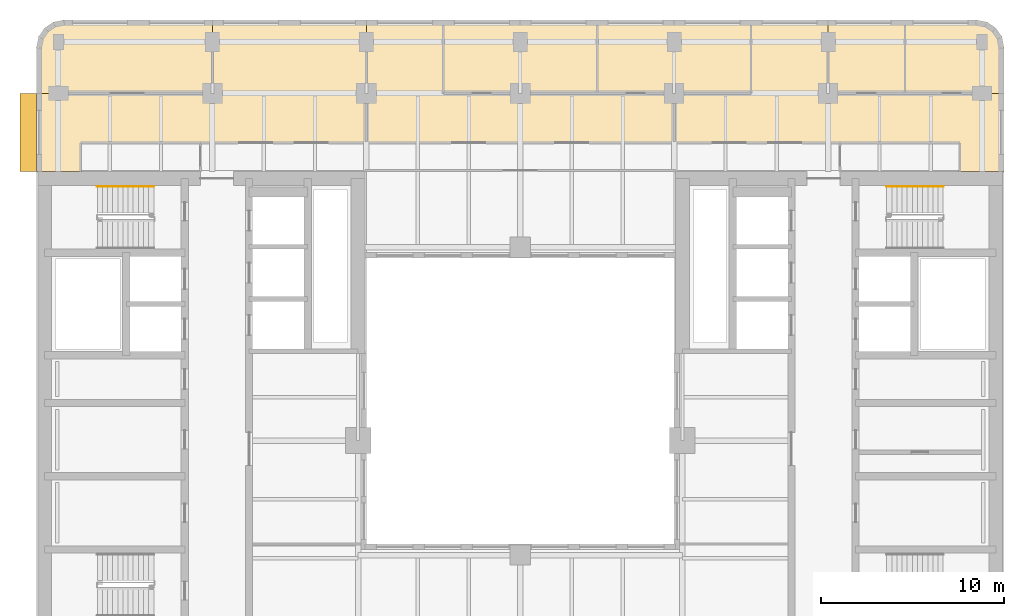
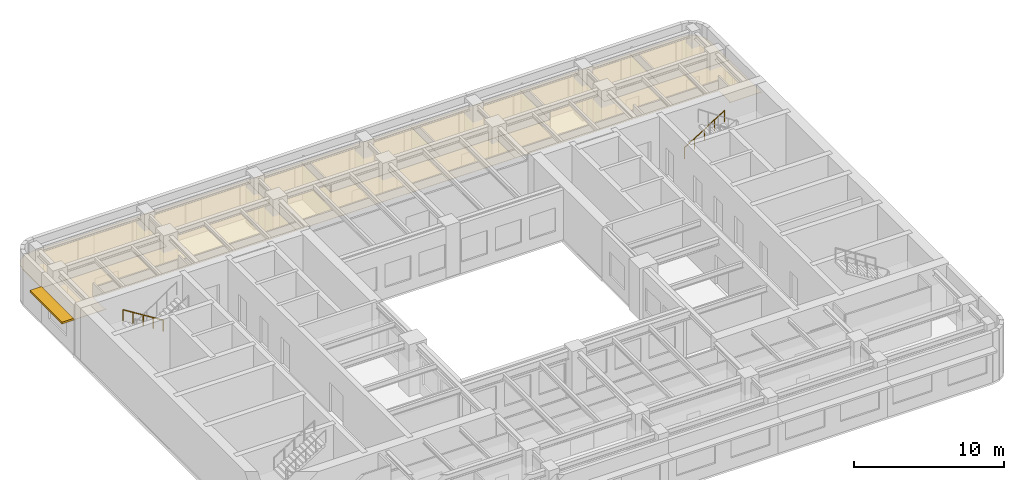
# One storey, part 11 of 11: 8 coverings, 2 railings, 1 shading device.
"""IFC4 building model written with IfcOpenShell, lengths in metres."""

import ifcopenshell
import ifcopenshell.guid

model = None  # the IFC model being written
_history = None  # IfcOwnerHistory: only IFC2X3 demands one
_inside = {}  # id of a spatial element -> (the spatial element, [elements in it])
_under = {}  # id of a project, library or spatial element -> (it, [spatial elements below it])
_declared = {}  # id of a project -> (the project, [libraries it declares])
_typed = {}  # id of a type object -> (the type object, [elements of that type])
_made_of = {}  # id of a material, layer set ... -> (it, [elements and type objects made of it])


def new_model(schema):
    """Start an empty IFC model of exactly this schema.

    Asked for "IFC4X3", IfcOpenShell would pick the latest addendum, in which some entities
    have other attributes; the version numbers below select the first issue.
    IFC2X3 requires an IfcOwnerHistory on every rooted entity: one is made here for all.
    """
    global model, _history
    if schema == "IFC4X3":
        model = ifcopenshell.file(schema_version=(4, 3, 0, 0))
    else:
        model = ifcopenshell.file(schema=schema)
    _inside.clear()
    _under.clear()
    _declared.clear()
    _typed.clear()
    _made_of.clear()
    _history = None
    if model.schema == "IFC2X3":
        org = make("IfcOrganization", Name="unknown")
        user = make(
            "IfcPersonAndOrganization",
            ThePerson=make("IfcPerson", FamilyName="unknown"),
            TheOrganization=org,
        )
        app = make(
            "IfcApplication",
            ApplicationDeveloper=org,
            Version="unknown",
            ApplicationFullName="unknown",
            ApplicationIdentifier="unknown",
        )
        _history = make(
            "IfcOwnerHistory",
            OwningUser=user,
            OwningApplication=app,
            ChangeAction="ADDED",
            CreationDate=0,
        )
    return model


def make(cls, **values):
    """One entity of the class cls with the attributes given. An attribute that is None is left unset."""
    return model.create_entity(
        cls, **{name: value for name, value in values.items() if value is not None}
    )


def rooted(cls, **values):
    """An entity with a GlobalId (a new one), such as an element, a storey or a relation."""
    return make(cls, GlobalId=ifcopenshell.guid.new(), OwnerHistory=_history, **values)


def si_unit(unit_type, name, prefix=None):
    """IfcSIUnit, for example si_unit("LENGTHUNIT", "METRE", prefix="MILLI")."""
    return make("IfcSIUnit", UnitType=unit_type, Prefix=prefix, Name=name)


def assignment(units):
    """IfcUnitAssignment: the units of a project."""
    return None if units is None else make("IfcUnitAssignment", Units=units)


def point(xyz):
    """IfcCartesianPoint."""
    return None if xyz is None else make("IfcCartesianPoint", Coordinates=xyz)


def direction(xyz):
    """IfcDirection."""
    return None if xyz is None else make("IfcDirection", DirectionRatios=xyz)


def frame(location, z_axis=None, x_axis=None):
    """IfcAxis2Placement3D, a coordinate frame: its origin and axes. An axis left out is left unset."""
    return make(
        "IfcAxis2Placement3D",
        Location=point(location),
        Axis=direction(z_axis),
        RefDirection=direction(x_axis),
    )


def frame_2d(location, x_axis=None):
    """IfcAxis2Placement2D, a coordinate frame in the plane: its origin and x axis."""
    return make(
        "IfcAxis2Placement2D", Location=point(location), RefDirection=direction(x_axis)
    )


def origin():
    """The frame at (0, 0, 0) with its axes left unset."""
    return frame((0.0, 0.0, 0.0))


def origin_2d():
    """The frame at (0, 0) in the plane with its x axis left unset."""
    return frame_2d((0.0, 0.0))


def place(relative_to, where):
    """IfcLocalPlacement: puts the frame where relative to a parent placement (None: the world)."""
    return make(
        "IfcLocalPlacement", PlacementRelTo=relative_to, RelativePlacement=where
    )


def context(
    kind, dimensions, precision=None, world=None, true_north=None, identifier=None
):
    """IfcGeometricRepresentationContext, for example the 3D "Model" context."""
    return make(
        "IfcGeometricRepresentationContext",
        ContextIdentifier=identifier,
        ContextType=kind,
        CoordinateSpaceDimension=dimensions,
        Precision=precision,
        WorldCoordinateSystem=world,
        TrueNorth=true_north,
    )


def subcontext(parent, identifier, kind, view, scale=None):
    """IfcGeometricRepresentationSubContext, for example "Body" below "Model"."""
    return make(
        "IfcGeometricRepresentationSubContext",
        ContextIdentifier=identifier,
        ContextType=kind,
        ParentContext=parent,
        TargetScale=scale,
        TargetView=view,
    )


def project(units=None, contexts=None):
    """IfcProject with its units and contexts."""
    return rooted(
        "IfcProject",
        Name="project",
        RepresentationContexts=contexts,
        UnitsInContext=assignment(units),
    )


def spatial(cls, under=None, at=None, **own):
    """A site, building, storey or space (cls), placed at a placement, below another one or the project."""
    s = rooted(cls, ObjectPlacement=at, **own)
    if under is not None:
        _under.setdefault(under.id(), (under, []))[1].append(s)
    return s


def polyline(points):
    """IfcPolyline through the points."""
    return make("IfcPolyline", Points=[point(p) for p in points])


def profile(cls, at=None, kind="AREA", **sizes):
    """A parametric profile (cls). Its sizes go by their IFC names, for example OverallWidth=200.0."""
    return make(cls, ProfileType=kind, Position=at, **sizes)


def rectangle(**sizes):
    """IfcRectangleProfileDef."""
    return profile("IfcRectangleProfileDef", **sizes)


def circle(**sizes):
    """IfcCircleProfileDef."""
    return profile("IfcCircleProfileDef", **sizes)


def outline(outer, holes=None, kind="AREA"):
    """IfcArbitraryClosedProfileDef: a profile drawn as a closed curve; with holes, ...WithVoids."""
    if holes is None:
        return make("IfcArbitraryClosedProfileDef", ProfileType=kind, OuterCurve=outer)
    return make(
        "IfcArbitraryProfileDefWithVoids",
        ProfileType=kind,
        OuterCurve=outer,
        InnerCurves=holes,
    )


def extrude(swept, where, along, depth):
    """IfcExtrudedAreaSolid: the profile swept, set in the frame where, extruded along a direction by depth."""
    return make(
        "IfcExtrudedAreaSolid",
        SweptArea=swept,
        Position=where,
        ExtrudedDirection=direction(along),
        Depth=depth,
    )


def shape(context_of_items, identifier, shape_type, items):
    """IfcShapeRepresentation: the items that make up one representation, for example the "Body"."""
    return make(
        "IfcShapeRepresentation",
        ContextOfItems=context_of_items,
        RepresentationIdentifier=identifier,
        RepresentationType=shape_type,
        Items=items,
    )


def material(Name=None, Category=None):
    """IfcMaterial."""
    return make("IfcMaterial", Name=Name, Category=Category)


def layer(
    of_material, thickness, ventilated=None, Name=None, Category=None, Priority=None
):
    """IfcMaterialLayer: one layer of a wall or slab, of a material (None: an air gap)."""
    return make(
        "IfcMaterialLayer",
        Material=of_material,
        LayerThickness=thickness,
        IsVentilated=ventilated,
        Name=Name,
        Category=Category,
        Priority=Priority,
    )


def layer_set(layers, Name=None):
    """IfcMaterialLayerSet."""
    return make("IfcMaterialLayerSet", MaterialLayers=layers, LayerSetName=Name)


def made_of(thing, what):
    """Note that an element or type object is made of a material, layer set ...; save() writes the relation."""
    if what is not None:
        _made_of.setdefault(what.id(), (what, []))[1].append(thing)
    return thing


def type_object(cls, material=None, **own):
    """A type object (cls), such as IfcWallType, which elements share."""
    return made_of(rooted(cls, **own), material)


def element(
    cls,
    number,
    at=None,
    inside=None,
    cuts=None,
    type_object=None,
    material=None,
    context=None,
    identifier="Body",
    shape_type=None,
    held_by="IfcProductDefinitionShape",
    body=None,
    shapes=None,
    **own,
):
    """One element of the class cls, such as IfcWall. Its Tag is "e" and its number.

    at: its placement. inside: the storey or other place that contains it. cuts: it is an
    opening in that element (IfcRelVoidsElement). A single representation is given by context,
    identifier, shape_type and body (its items); several are given by shapes. held_by: the class
    of the entity that holds the representations. save() writes the other relations.
    """
    e = rooted(cls, Tag="e%d" % number, ObjectPlacement=at, **own)
    if body is not None:
        shapes = [shape(context, identifier, shape_type, body)]
    if shapes is not None:
        e.Representation = make(held_by, Representations=shapes)
    if inside is not None:
        _inside.setdefault(inside.id(), (inside, []))[1].append(e)
    if cuts is not None:
        rooted(
            "IfcRelVoidsElement", RelatingBuildingElement=cuts, RelatedOpeningElement=e
        )
    if type_object is not None:
        _typed.setdefault(type_object.id(), (type_object, []))[1].append(e)
    return made_of(e, material)


def aggregate(whole, parts):
    """IfcRelAggregates: a whole, such as a stair, and the parts it consists of."""
    return rooted("IfcRelAggregates", RelatingObject=whole, RelatedObjects=parts)


def save(model, path):
    """Write the relations noted so far, then the file.

    IfcRelAggregates (storeys below a building ...), IfcRelContainedInSpatialStructure (elements
    in a storey), IfcRelDefinesByType, IfcRelAssociatesMaterial and IfcRelDeclares: one each for
    every whole, place, type object, material and project.
    """
    for whole, parts in _under.values():
        aggregate(whole, parts)
    for where, things in _inside.values():
        rooted(
            "IfcRelContainedInSpatialStructure",
            RelatedElements=things,
            RelatingStructure=where,
        )
    for kind, things in _typed.values():
        rooted("IfcRelDefinesByType", RelatedObjects=things, RelatingType=kind)
    for what, things in _made_of.values():
        rooted("IfcRelAssociatesMaterial", RelatedObjects=things, RelatingMaterial=what)
    for by, libraries in _declared.values():
        rooted("IfcRelDeclares", RelatingContext=by, RelatedDefinitions=libraries)
    model.write(path)


model = new_model("IFC4")

# Units and contexts
model_context = context("Model", 3, precision=1e-05, world=origin(), true_north=direction((0.0, 1.0)))
body_context = subcontext(model_context, "Body", "Model", "MODEL_VIEW")
ifc_project = project(units=[si_unit("LENGTHUNIT", "METRE"), si_unit("AREAUNIT", "SQUARE_METRE"), si_unit("VOLUMEUNIT", "CUBIC_METRE"), si_unit("PLANEANGLEUNIT", "RADIAN"), si_unit("MASSUNIT", "GRAM", prefix="KILO")], contexts=[model_context])

# Site, building, storey
site_placement = place(None, origin())
site = spatial("IfcSite", under=ifc_project, at=site_placement, CompositionType="ELEMENT")
building_placement = place(site_placement, origin())
building = spatial("IfcBuilding", under=site, at=building_placement, Name="Claustro Exchange Tower", CompositionType="ELEMENT")
storey_placement = place(building_placement, frame((0.0, 0.0, 202.800048828125)))
storey = spatial("IfcBuildingStorey", under=building, at=storey_placement, Name="L46", CompositionType="ELEMENT", Elevation=202.800048828125)

# Coverings
ifc_material_1 = material(Name="Perforated metal ceiling tiles", Category="steel")
ifc_layer_1 = layer(ifc_material_1, 0.030029296875)
ifc_layer_set_1 = layer_set([ifc_layer_1], Name="Perforated metal ceiling tiles")
covering_type_1 = type_object("IfcCoveringType", Name="CL1 suspended metal ceiling", PredefinedType="CEILING", material=ifc_layer_set_1)
covering_1_placement = place(storey_placement, frame((0.0, 0.0, 2.800048828125)))
element("IfcCovering", 1, at=covering_1_placement, inside=storey, type_object=covering_type_1, Name="Ceiling CL1 L46-22", PredefinedType="CEILING", context=body_context, shape_type="SweptSolid", body=[
    extrude(outline(polyline([(-1.125, 37.72509765625), (1.294921875, 37.72509765625), (1.294921875, 37.800048828125), (1.199951171875, 37.800048828125), (1.199951171875, 39.300048828125), (16.800048828125, 39.300048828125), (16.800048828125, 46.0), (8.39990234375, 46.0), (8.39990234375, 42.0), (-1.199951171875, 42.0), (-1.199951171875, 37.705078125), (-1.125, 37.705078125), (-1.125, 37.72509765625)])), origin(), (0.0, 0.0, 1.0), 0.02978515625),
])
ifc_material_2 = material(Name="Gypsum board ceiling", Category="gypsum board")
ifc_layer_2 = layer(ifc_material_2, 0.02490234375)
ifc_layer_set_2 = layer_set([ifc_layer_2], Name="Gypsum board ceiling")
covering_type_2 = type_object("IfcCoveringType", Name="CL2 plasterboard ceiling", PredefinedType="CEILING", material=ifc_layer_set_2)
covering_2_placement = place(storey_placement, frame((0.0, 0.0, 2.800048828125)))
element("IfcCovering", 2, at=covering_2_placement, inside=storey, type_object=covering_type_2, Name="Ceiling CL2 L46-20", PredefinedType="CEILING", context=body_context, shape_type="SweptSolid", body=[
    extrude(outline(polyline([(51.52490234375, 37.72509765625), (51.52490234375, 37.705078125), (51.60009765625, 37.705078125), (51.60009765625, 42.0), (42.0, 42.0), (42.0, 46.0), (37.800048828125, 46.0), (37.800048828125, 42.0), (33.60009765625, 42.0), (33.60009765625, 39.300048828125), (49.199951171875, 39.300048828125), (49.199951171875, 37.800048828125), (49.10498046875, 37.800048828125), (49.10498046875, 37.72509765625), (51.52490234375, 37.72509765625)])), origin(), (0.0, 0.0, 1.0), 0.02490234375),
])
covering_3_placement = place(storey_placement, frame((0.0, 0.0, 2.800048828125)))
element("IfcCovering", 3, at=covering_3_placement, inside=storey, type_object=covering_type_2, Name="Ceiling CL2 L46-21", PredefinedType="CEILING", context=body_context, shape_type="SweptSolid", body=[
    extrude(outline(polyline([(21.0, 46.0), (16.800048828125, 46.0), (16.800048828125, 39.300048828125), (33.60009765625, 39.300048828125), (33.60009765625, 42.0), (29.39990234375, 42.0), (21.0, 42.0), (21.0, 46.0)])), origin(), (0.0, 0.0, 1.0), 0.02490234375),
])
covering_4_placement = place(storey_placement, frame((0.0, 0.0, 2.800048828125)))
element("IfcCovering", 4, at=covering_4_placement, inside=storey, type_object=covering_type_2, Name="Ceiling CL2 L46-23", PredefinedType="CEILING", context=body_context, shape_type="SweptSolid", body=[
    extrude(outline(polyline([(-1.199951171875, 44.5), (-1.199951171875, 42.0), (8.39990234375, 42.0), (8.39990234375, 46.0), (0.300048828125, 46.0), (-0.27392578125, 45.8857421875), (-0.7607421875, 45.560791015625), (-1.085693359375, 45.073974609375), (-1.199951171875, 44.5)])), origin(), (0.0, 0.0, 1.0), 0.02490234375),
])
covering_5_placement = place(storey_placement, frame((0.0, 0.0, 2.800048828125)))
element("IfcCovering", 5, at=covering_5_placement, inside=storey, type_object=covering_type_2, Name="Ceiling CL2 L46-24", PredefinedType="CEILING", context=body_context, shape_type="SweptSolid", body=[
    extrude(outline(polyline([(29.39990234375, 46.0), (21.0, 46.0), (21.0, 42.0), (29.39990234375, 42.0), (29.39990234375, 46.0)])), origin(), (0.0, 0.0, 1.0), 0.02490234375),
])
covering_6_placement = place(storey_placement, frame((0.0, 0.0, 2.800048828125)))
element("IfcCovering", 6, at=covering_6_placement, inside=storey, type_object=covering_type_2, Name="Ceiling CL2 L46-25", PredefinedType="CEILING", context=body_context, shape_type="SweptSolid", body=[
    extrude(outline(polyline([(37.800048828125, 46.0), (29.39990234375, 46.0), (29.39990234375, 42.0), (37.800048828125, 42.0), (37.800048828125, 46.0)])), origin(), (0.0, 0.0, 1.0), 0.02490234375),
])
covering_7_placement = place(storey_placement, frame((0.0, 0.0, 2.800048828125)))
element("IfcCovering", 7, at=covering_7_placement, inside=storey, type_object=covering_type_2, Name="Ceiling CL2 L46-26", PredefinedType="CEILING", context=body_context, shape_type="SweptSolid", body=[
    extrude(outline(polyline([(46.199951171875, 46.0), (42.0, 46.0), (42.0, 42.0), (46.199951171875, 42.0), (46.199951171875, 46.0)])), origin(), (0.0, 0.0, 1.0), 0.02490234375),
])
covering_8_placement = place(storey_placement, frame((0.0, 0.0, 2.800048828125)))
element("IfcCovering", 8, at=covering_8_placement, inside=storey, type_object=covering_type_2, Name="Ceiling CL2 L46-27", PredefinedType="CEILING", context=body_context, shape_type="SweptSolid", body=[
    extrude(outline(polyline([(50.10009765625, 46.0), (46.199951171875, 46.0), (46.199951171875, 42.0), (51.60009765625, 42.0), (51.60009765625, 44.5), (51.48583984375, 45.073974609375), (51.16064453125, 45.560791015625), (50.674072265625, 45.8857421875), (50.10009765625, 46.0)])), origin(), (0.0, 0.0, 1.0), 0.02490234375),
])

# Railings
ifc_material_3 = material(Name="Stainless steel tube", Category="steel")
railing_type = type_object("IfcRailingType", Name="HR1 900 stair handrail", PredefinedType="HANDRAIL", material=ifc_material_3)
railing_1_placement = place(storey_placement, frame((5.199951171875, 36.9150390625, 0.175048828125)))
element("IfcRailing", 9, at=railing_1_placement, inside=storey, type_object=railing_type, Name="Handrail HR1 stair STWB L46", PredefinedType="HANDRAIL", context=body_context, shape_type="SweptSolid", body=[
    extrude(circle(Radius=0.02392578125, at=origin_2d()), frame((0.0, 0.0, 0.8759765625), z_axis=(-0.848009633417, 0.0, 0.529980812513), x_axis=(0.0, -1.0, 0.0)), (0.0, 0.0, 1.0), 3.6318359375),
    extrude(circle(Radius=0.02099609375, at=origin_2d()), origin(), (0.0, 0.0, 1.0), 0.851806640625),
    extrude(circle(Radius=0.02099609375, at=origin_2d()), frame((-0.77001953125, 0.0, 0.481201171875)), (0.0, 0.0, 1.0), 0.851806640625),
    extrude(circle(Radius=0.02099609375, at=origin_2d()), frame((-1.5400390625, 0.0, 0.96240234375)), (0.0, 0.0, 1.0), 0.851806640625),
    extrude(circle(Radius=0.02099609375, at=origin_2d()), frame((-2.309814453125, 0.0, 1.443603515625)), (0.0, 0.0, 1.0), 0.851806640625),
    extrude(circle(Radius=0.02099609375, at=origin_2d()), frame((-3.079833984375, 0.0, 1.9248046875)), (0.0, 0.0, 1.0), 0.851806640625),
])
railing_2_placement = place(storey_placement, frame((45.199951171875, 36.9150390625, 0.175048828125)))
element("IfcRailing", 10, at=railing_2_placement, inside=storey, type_object=railing_type, Name="Handrail HR1 stair STEB L46", PredefinedType="HANDRAIL", context=body_context, shape_type="SweptSolid", body=[
    extrude(circle(Radius=0.02392578125, at=origin_2d()), frame((0.0, 0.0, 0.8759765625), z_axis=(0.848028513186, 0.0, 0.529950602248), x_axis=(0.0, 1.0, 0.0)), (0.0, 0.0, 1.0), 3.632080078125),
    extrude(circle(Radius=0.02099609375, at=origin_2d()), origin(), (0.0, 0.0, 1.0), 0.851806640625),
    extrude(circle(Radius=0.02099609375, at=origin_2d()), frame((0.77001953125, 0.0, 0.481201171875)), (0.0, 0.0, 1.0), 0.851806640625),
    extrude(circle(Radius=0.02099609375, at=origin_2d()), frame((1.5400390625, 0.0, 0.96240234375)), (0.0, 0.0, 1.0), 0.851806640625),
    extrude(circle(Radius=0.02099609375, at=origin_2d()), frame((2.31005859375, 0.0, 1.443603515625)), (0.0, 0.0, 1.0), 0.851806640625),
    extrude(circle(Radius=0.02099609375, at=origin_2d()), frame((3.080078125, 0.0, 1.9248046875)), (0.0, 0.0, 1.0), 0.851806640625),
])

# Shading device
ifc_material_4 = material(Name="Concrete HA-40 (C40/50), precast, white cement, acid-etched", Category="concrete")
ifc_layer_3 = layer(ifc_material_4, 0.14990234375)
ifc_layer_set_3 = layer_set([ifc_layer_3], Name="Concrete HA-40 (C40/50), precast, white cement, acid-etched")
shading_device_type = type_object("IfcShadingDeviceType", Name="SS2 900 precast concrete SUNSHADE", PredefinedType="SHUTTER", material=ifc_layer_set_3)
shading_device_placement = place(storey_placement, frame((-1.64990234375, 39.862548828125, 2.800048828125), z_axis=(0.0, 0.0, 1.0), x_axis=(0.0, 1.0, 0.0)))
element("IfcShadingDevice", 11, at=shading_device_placement, inside=storey, type_object=shading_device_type, Name="Precast SUNSHADE SS2 L46", PredefinedType="SHUTTER", context=body_context, shape_type="SweptSolid", body=[
    extrude(rectangle(XDim=4.27490234375, YDim=0.89990234375, at=origin_2d()), origin(), (0.0, 0.0, 1.0), 0.14990234375),
])

save(model, "model.ifc")
